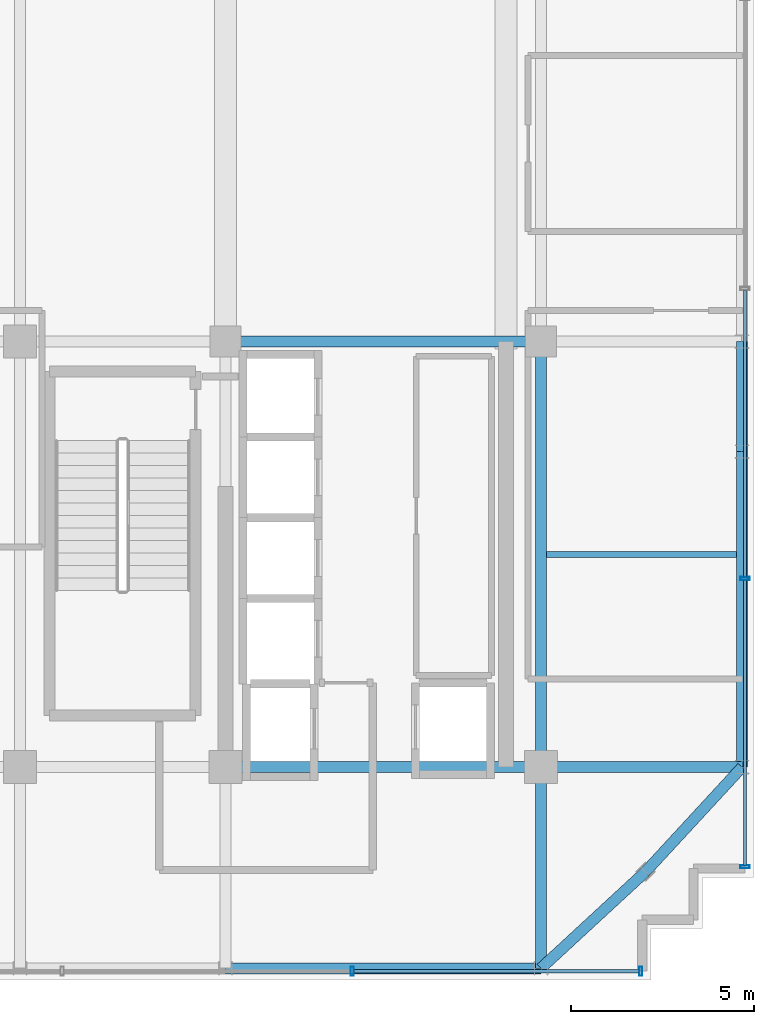
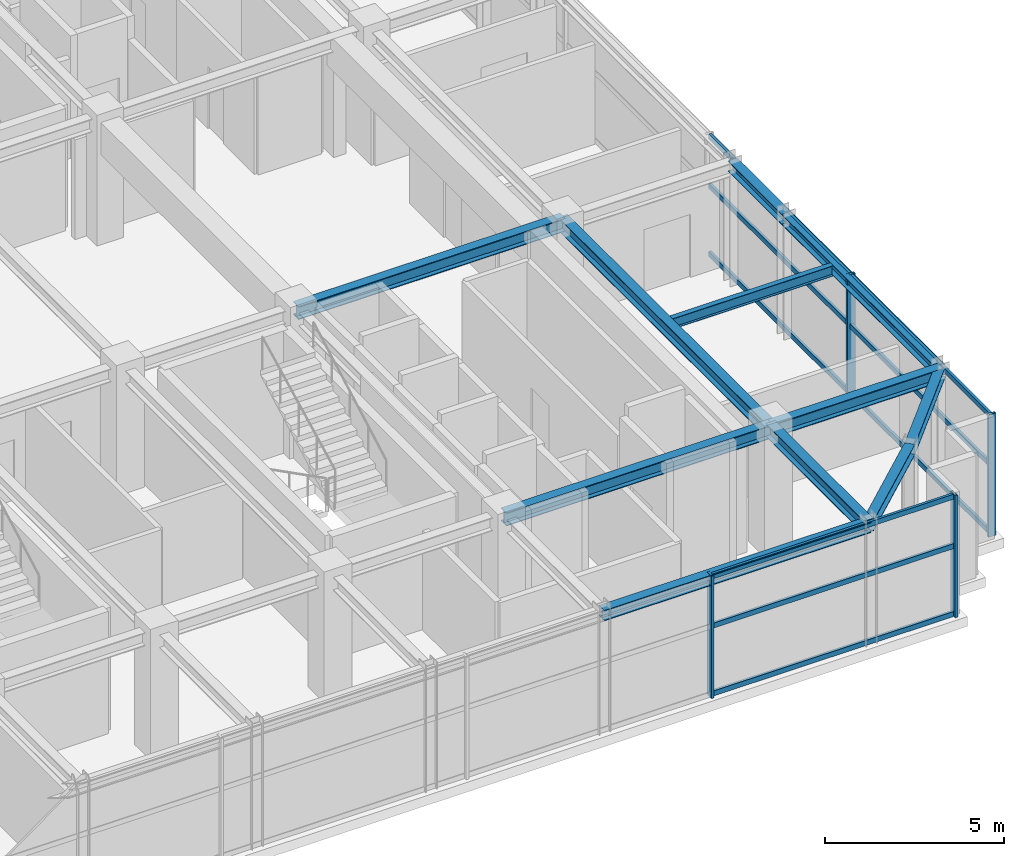
# One storey, part 10 of 20: 13 members, 11 beams, 2 elements without a shape of their own.
"""IFC4 building model written with IfcOpenShell, lengths in metres."""

import ifcopenshell
import ifcopenshell.guid

model = None  # the IFC model being written
_history = None  # IfcOwnerHistory: only IFC2X3 demands one
_inside = {}  # id of a spatial element -> (the spatial element, [elements in it])
_under = {}  # id of a project, library or spatial element -> (it, [spatial elements below it])
_declared = {}  # id of a project -> (the project, [libraries it declares])
_typed = {}  # id of a type object -> (the type object, [elements of that type])
_made_of = {}  # id of a material, layer set ... -> (it, [elements and type objects made of it])


def new_model(schema):
    """Start an empty IFC model of exactly this schema.

    Asked for "IFC4X3", IfcOpenShell would pick the latest addendum, in which some entities
    have other attributes; the version numbers below select the first issue.
    IFC2X3 requires an IfcOwnerHistory on every rooted entity: one is made here for all.
    """
    global model, _history
    if schema == "IFC4X3":
        model = ifcopenshell.file(schema_version=(4, 3, 0, 0))
    else:
        model = ifcopenshell.file(schema=schema)
    _inside.clear()
    _under.clear()
    _declared.clear()
    _typed.clear()
    _made_of.clear()
    _history = None
    if model.schema == "IFC2X3":
        org = make("IfcOrganization", Name="unknown")
        user = make(
            "IfcPersonAndOrganization",
            ThePerson=make("IfcPerson", FamilyName="unknown"),
            TheOrganization=org,
        )
        app = make(
            "IfcApplication",
            ApplicationDeveloper=org,
            Version="unknown",
            ApplicationFullName="unknown",
            ApplicationIdentifier="unknown",
        )
        _history = make(
            "IfcOwnerHistory",
            OwningUser=user,
            OwningApplication=app,
            ChangeAction="ADDED",
            CreationDate=0,
        )
    return model


def make(cls, **values):
    """One entity of the class cls with the attributes given. An attribute that is None is left unset."""
    return model.create_entity(
        cls, **{name: value for name, value in values.items() if value is not None}
    )


def rooted(cls, **values):
    """An entity with a GlobalId (a new one), such as an element, a storey or a relation."""
    return make(cls, GlobalId=ifcopenshell.guid.new(), OwnerHistory=_history, **values)


def si_unit(unit_type, name, prefix=None):
    """IfcSIUnit, for example si_unit("LENGTHUNIT", "METRE", prefix="MILLI")."""
    return make("IfcSIUnit", UnitType=unit_type, Prefix=prefix, Name=name)


def assignment(units):
    """IfcUnitAssignment: the units of a project."""
    return None if units is None else make("IfcUnitAssignment", Units=units)


def point(xyz):
    """IfcCartesianPoint."""
    return None if xyz is None else make("IfcCartesianPoint", Coordinates=xyz)


def direction(xyz):
    """IfcDirection."""
    return None if xyz is None else make("IfcDirection", DirectionRatios=xyz)


def frame(location, z_axis=None, x_axis=None):
    """IfcAxis2Placement3D, a coordinate frame: its origin and axes. An axis left out is left unset."""
    return make(
        "IfcAxis2Placement3D",
        Location=point(location),
        Axis=direction(z_axis),
        RefDirection=direction(x_axis),
    )


def frame_2d(location, x_axis=None):
    """IfcAxis2Placement2D, a coordinate frame in the plane: its origin and x axis."""
    return make(
        "IfcAxis2Placement2D", Location=point(location), RefDirection=direction(x_axis)
    )


def origin():
    """The frame at (0, 0, 0) with its axes left unset."""
    return frame((0.0, 0.0, 0.0))


def origin_2d():
    """The frame at (0, 0) in the plane with its x axis left unset."""
    return frame_2d((0.0, 0.0))


def place(relative_to, where):
    """IfcLocalPlacement: puts the frame where relative to a parent placement (None: the world)."""
    return make(
        "IfcLocalPlacement", PlacementRelTo=relative_to, RelativePlacement=where
    )


def context(
    kind, dimensions, precision=None, world=None, true_north=None, identifier=None
):
    """IfcGeometricRepresentationContext, for example the 3D "Model" context."""
    return make(
        "IfcGeometricRepresentationContext",
        ContextIdentifier=identifier,
        ContextType=kind,
        CoordinateSpaceDimension=dimensions,
        Precision=precision,
        WorldCoordinateSystem=world,
        TrueNorth=true_north,
    )


def subcontext(parent, identifier, kind, view, scale=None):
    """IfcGeometricRepresentationSubContext, for example "Body" below "Model"."""
    return make(
        "IfcGeometricRepresentationSubContext",
        ContextIdentifier=identifier,
        ContextType=kind,
        ParentContext=parent,
        TargetScale=scale,
        TargetView=view,
    )


def project(units=None, contexts=None):
    """IfcProject with its units and contexts."""
    return rooted(
        "IfcProject",
        Name="project",
        RepresentationContexts=contexts,
        UnitsInContext=assignment(units),
    )


def spatial(cls, under=None, at=None, **own):
    """A site, building, storey or space (cls), placed at a placement, below another one or the project."""
    s = rooted(cls, ObjectPlacement=at, **own)
    if under is not None:
        _under.setdefault(under.id(), (under, []))[1].append(s)
    return s


def profile(cls, at=None, kind="AREA", **sizes):
    """A parametric profile (cls). Its sizes go by their IFC names, for example OverallWidth=200.0."""
    return make(cls, ProfileType=kind, Position=at, **sizes)


def hollow_rectangle(**sizes):
    """IfcRectangleHollowProfileDef."""
    return profile("IfcRectangleHollowProfileDef", **sizes)


def i_section(**sizes):
    """IfcIShapeProfileDef."""
    return profile("IfcIShapeProfileDef", **sizes)


def extrude(swept, where, along, depth):
    """IfcExtrudedAreaSolid: the profile swept, set in the frame where, extruded along a direction by depth."""
    return make(
        "IfcExtrudedAreaSolid",
        SweptArea=swept,
        Position=where,
        ExtrudedDirection=direction(along),
        Depth=depth,
    )


def shape(context_of_items, identifier, shape_type, items):
    """IfcShapeRepresentation: the items that make up one representation, for example the "Body"."""
    return make(
        "IfcShapeRepresentation",
        ContextOfItems=context_of_items,
        RepresentationIdentifier=identifier,
        RepresentationType=shape_type,
        Items=items,
    )


def source(mapping_origin, context_of_items, identifier, shape_type, items):
    """IfcRepresentationMap: a shape defined once, which mapped items show again and again."""
    return make(
        "IfcRepresentationMap",
        MappingOrigin=mapping_origin,
        MappedRepresentation=shape(context_of_items, identifier, shape_type, items),
    )


def transform(
    local_origin,
    x_axis=None,
    y_axis=None,
    z_axis=None,
    scale=None,
    scale2=None,
    scale3=None,
    uniform=True,
):
    """IfcCartesianTransformationOperator3D, or its non-uniform kind. x_axis, y_axis, z_axis: its Axis1, 2, 3."""
    if uniform:
        return make(
            "IfcCartesianTransformationOperator3D",
            Axis1=direction(x_axis),
            Axis2=direction(y_axis),
            LocalOrigin=point(local_origin),
            Scale=scale,
            Axis3=direction(z_axis),
        )
    return make(
        "IfcCartesianTransformationOperator3DnonUniform",
        Axis1=direction(x_axis),
        Axis2=direction(y_axis),
        LocalOrigin=point(local_origin),
        Scale=scale,
        Axis3=direction(z_axis),
        Scale2=scale2,
        Scale3=scale3,
    )


def mapped(mapping_source, mapping_target):
    """IfcMappedItem: shows the shape of a source again, moved by a transform."""
    return make(
        "IfcMappedItem", MappingSource=mapping_source, MappingTarget=mapping_target
    )


def material(Name=None, Category=None):
    """IfcMaterial."""
    return make("IfcMaterial", Name=Name, Category=Category)


def material_profile(
    of_material, cross_section, Name=None, Category=None, Priority=None
):
    """IfcMaterialProfile: a cross section and its material."""
    return make(
        "IfcMaterialProfile",
        Name=Name,
        Material=of_material,
        Profile=cross_section,
        Priority=Priority,
        Category=Category,
    )


def profile_set(profiles, Name=None, composite=None):
    """IfcMaterialProfileSet."""
    return make(
        "IfcMaterialProfileSet",
        Name=Name,
        MaterialProfiles=profiles,
        CompositeProfile=composite,
    )


def made_of(thing, what):
    """Note that an element or type object is made of a material, layer set ...; save() writes the relation."""
    if what is not None:
        _made_of.setdefault(what.id(), (what, []))[1].append(thing)
    return thing


def type_object(cls, material=None, **own):
    """A type object (cls), such as IfcWallType, which elements share."""
    return made_of(rooted(cls, **own), material)


def element(
    cls,
    number,
    at=None,
    inside=None,
    cuts=None,
    type_object=None,
    material=None,
    context=None,
    identifier="Body",
    shape_type=None,
    held_by="IfcProductDefinitionShape",
    body=None,
    shapes=None,
    **own,
):
    """One element of the class cls, such as IfcWall. Its Tag is "e" and its number.

    at: its placement. inside: the storey or other place that contains it. cuts: it is an
    opening in that element (IfcRelVoidsElement). A single representation is given by context,
    identifier, shape_type and body (its items); several are given by shapes. held_by: the class
    of the entity that holds the representations. save() writes the other relations.
    """
    e = rooted(cls, Tag="e%d" % number, ObjectPlacement=at, **own)
    if body is not None:
        shapes = [shape(context, identifier, shape_type, body)]
    if shapes is not None:
        e.Representation = make(held_by, Representations=shapes)
    if inside is not None:
        _inside.setdefault(inside.id(), (inside, []))[1].append(e)
    if cuts is not None:
        rooted(
            "IfcRelVoidsElement", RelatingBuildingElement=cuts, RelatedOpeningElement=e
        )
    if type_object is not None:
        _typed.setdefault(type_object.id(), (type_object, []))[1].append(e)
    return made_of(e, material)


def aggregate(whole, parts):
    """IfcRelAggregates: a whole, such as a stair, and the parts it consists of."""
    return rooted("IfcRelAggregates", RelatingObject=whole, RelatedObjects=parts)


def save(model, path):
    """Write the relations noted so far, then the file.

    IfcRelAggregates (storeys below a building ...), IfcRelContainedInSpatialStructure (elements
    in a storey), IfcRelDefinesByType, IfcRelAssociatesMaterial and IfcRelDeclares: one each for
    every whole, place, type object, material and project.
    """
    for whole, parts in _under.values():
        aggregate(whole, parts)
    for where, things in _inside.values():
        rooted(
            "IfcRelContainedInSpatialStructure",
            RelatedElements=things,
            RelatingStructure=where,
        )
    for kind, things in _typed.values():
        rooted("IfcRelDefinesByType", RelatedObjects=things, RelatingType=kind)
    for what, things in _made_of.values():
        rooted("IfcRelAssociatesMaterial", RelatedObjects=things, RelatingMaterial=what)
    for by, libraries in _declared.values():
        rooted("IfcRelDeclares", RelatingContext=by, RelatedDefinitions=libraries)
    model.write(path)


model = new_model("IFC4")

# Units and contexts
model_context = context("Model", 3, precision=1e-05, world=origin(), true_north=direction((0.0, 1.0)))
body_context = subcontext(model_context, "Body", "Model", "MODEL_VIEW")
ifc_project = project(units=[si_unit("LENGTHUNIT", "METRE"), si_unit("AREAUNIT", "SQUARE_METRE"), si_unit("VOLUMEUNIT", "CUBIC_METRE"), si_unit("PLANEANGLEUNIT", "RADIAN"), si_unit("MASSUNIT", "GRAM", prefix="KILO")], contexts=[model_context])

# Site, building, storey
site_placement = place(None, origin())
site = spatial("IfcSite", under=ifc_project, at=site_placement, CompositionType="ELEMENT")
building_placement = place(site_placement, origin())
building = spatial("IfcBuilding", under=site, at=building_placement, Name="Nahalor Promenade Grand Hotel", CompositionType="ELEMENT")
storey_placement = place(building_placement, frame((0.0, 0.0, 347.550048828125)))
storey = spatial("IfcBuildingStorey", under=building, at=storey_placement, Name="L89", CompositionType="ELEMENT", Elevation=347.550048828125)

# Beams
ifc_material_1 = material(Name="Steel S355JR", Category="steel")
ifc_material_profile_1 = material_profile(ifc_material_1, i_section(OverallWidth=0.3, OverallDepth=0.45, WebThickness=0.014, FlangeThickness=0.026, at=origin_2d()), Name="HEB 450")
ifc_profile_set_1 = profile_set([ifc_material_profile_1], Name="Steel S355JR")
beam_type_1 = type_object("IfcBeamType", Name="Beam-Girder-HEB450", PredefinedType="BEAM", material=ifc_profile_set_1)
shared_shape_1 = source(origin(), body_context, "Body", "SweptSolid", [
    extrude(i_section(OverallWidth=0.3, OverallDepth=0.45, WebThickness=0.014, FlangeThickness=0.026, at=origin_2d()), origin(), (0.0, 0.0, 1.0), 8.60009765625),
])
for number, where, z_axis, x_axis, name in (
    (1, (8.39990234375, -17.0, 3.945068359375), (1.0, 0.0, 0.0), (0.0, 1.0, 0.0), "BM-L89-GX-0-5"),
    (2, (8.39990234375, -5.39990234375, 3.945068359375), (1.0, 0.0, 0.0), (0.0, 1.0, 0.0), "BM-L89-GX-1-5"),
):
    element("IfcBeam", number, at=place(storey_placement, frame(where, z_axis=z_axis, x_axis=x_axis)), inside=storey, type_object=beam_type_1, Name=name, PredefinedType="BEAM", context=body_context, shape_type="MappedRepresentation", body=[
        mapped(shared_shape_1, transform((0.0, 0.0, 0.0), scale=1.0)),
    ])
shared_shape_2 = source(origin(), body_context, "Body", "SweptSolid", [
    extrude(i_section(OverallWidth=0.3, OverallDepth=0.45, WebThickness=0.014, FlangeThickness=0.026, at=origin_2d()), origin(), (0.0, 0.0, 1.0), 11.60009765625),
])
beam_1_placement = place(storey_placement, frame((17.0, -17.0, 3.945068359375), z_axis=(0.0, 1.0, 0.0), x_axis=(-1.0, 0.0, 0.0)))
element("IfcBeam", 3, at=beam_1_placement, inside=storey, type_object=beam_type_1, Name="BM-L89-GY-5-1", PredefinedType="BEAM", context=body_context, shape_type="MappedRepresentation", body=[
    mapped(shared_shape_2, transform((0.0, 0.0, 0.0), scale=1.0)),
])
shared_shape_3 = source(origin(), body_context, "Body", "SweptSolid", [
    extrude(i_section(OverallWidth=0.3, OverallDepth=0.45, WebThickness=0.014, FlangeThickness=0.026, at=origin_2d()), origin(), (0.0, 0.0, 1.0), 5.47998046875),
])
for number, where, z_axis, x_axis, name in (
    (4, (17.0, -17.0, 3.945068359375), (1.0, 0.0, 0.0), (0.0, 1.0, 0.0), "BM-L89-GX-0-6"),
    (5, (17.0, -22.47998046875, 3.945068359375), (0.0, 1.0, 0.0), (-1.0, 0.0, 0.0), "BM-L89-GY-5-0"),
):
    element("IfcBeam", number, at=place(storey_placement, frame(where, z_axis=z_axis, x_axis=x_axis)), inside=storey, type_object=beam_type_1, Name=name, PredefinedType="BEAM", context=body_context, shape_type="MappedRepresentation", body=[
        mapped(shared_shape_3, transform((0.0, 0.0, 0.0), scale=1.0)),
    ])
ifc_material_profile_2 = material_profile(ifc_material_1, i_section(OverallWidth=0.3, OverallDepth=0.36, WebThickness=0.0125, FlangeThickness=0.0225, at=origin_2d()), Name="HEB 360")
ifc_profile_set_2 = profile_set([ifc_material_profile_2], Name="Steel S355JR")
beam_type_2 = type_object("IfcBeamType", Name="Beam-Spandrel-HEB360", PredefinedType="SPANDREL", material=ifc_profile_set_2)
shared_shape_4 = source(origin(), body_context, "Body", "SweptSolid", [
    extrude(i_section(OverallWidth=0.3, OverallDepth=0.36, WebThickness=0.0125, FlangeThickness=0.0225, at=origin_2d()), origin(), (0.0, 0.0, 1.0), 8.60009765625),
])
for number, where, z_axis, x_axis, name in (
    (6, (8.39990234375, -22.47998046875, 3.989990234375), (1.0, 0.0, 0.0), (0.0, 1.0, 0.0), "BM-L89-SP-S-4"),
    (7, (22.47998046875, -17.0, 3.989990234375), (0.0, 1.0, 0.0), (-1.0, 0.0, 0.0), "BM-L89-SP-E-0"),
):
    element("IfcBeam", number, at=place(storey_placement, frame(where, z_axis=z_axis, x_axis=x_axis)), inside=storey, type_object=beam_type_2, Name=name, PredefinedType="SPANDREL", context=body_context, shape_type="MappedRepresentation", body=[
        mapped(shared_shape_4, transform((0.0, 0.0, 0.0), scale=1.0)),
    ])
shared_shape_5 = source(origin(), body_context, "Body", "SweptSolid", [
    extrude(i_section(OverallWidth=0.3, OverallDepth=0.36, WebThickness=0.0125, FlangeThickness=0.0225, at=origin_2d()), origin(), (0.0, 0.0, 1.0), 3.0),
])
beam_2_placement = place(storey_placement, frame((22.47998046875, -8.39990234375, 3.989990234375), z_axis=(0.0, 1.0, 0.0), x_axis=(-1.0, 0.0, 0.0)))
element("IfcBeam", 8, at=beam_2_placement, inside=storey, type_object=beam_type_2, Name="BM-L89-SP-E-1", PredefinedType="SPANDREL", context=body_context, shape_type="MappedRepresentation", body=[
    mapped(shared_shape_5, transform((0.0, 0.0, 0.0), scale=1.0)),
])
shared_shape_6 = source(origin(), body_context, "Body", "SweptSolid", [
    extrude(i_section(OverallWidth=0.3, OverallDepth=0.36, WebThickness=0.0125, FlangeThickness=0.0225, at=origin_2d()), origin(), (0.0, 0.0, 1.0), 3.878173828125),
])
for number, where, z_axis, x_axis, name in (
    (9, (17.0, -22.47998046875, 3.989990234375), (0.73492893846, 0.678144125843, 0.0), (-0.678144125843, 0.73492893846, 0.0), "BM-L89-SPC-SE-1"),
    (10, (19.85009765625, -19.85009765625, 3.989990234375), (0.678144125843, 0.73492893846, 0.0), (-0.73492893846, 0.678144125843, 0.0), "BM-L89-SPC-SE-2"),
):
    element("IfcBeam", number, at=place(storey_placement, frame(where, z_axis=z_axis, x_axis=x_axis)), inside=storey, type_object=beam_type_2, Name=name, PredefinedType="SPANDREL", context=body_context, shape_type="MappedRepresentation", body=[
        mapped(shared_shape_6, transform((0.0, 0.0, 0.0), scale=1.0)),
    ])
ifc_material_profile_3 = material_profile(ifc_material_1, i_section(OverallWidth=0.17, OverallDepth=0.36, WebThickness=0.008, FlangeThickness=0.0127, at=origin_2d()), Name="IPE 360")
ifc_profile_set_3 = profile_set([ifc_material_profile_3], Name="Steel S355JR")
beam_type_3 = type_object("IfcBeamType", Name="Beam-Joist-IPE360", PredefinedType="JOIST", material=ifc_profile_set_3)
shared_shape_7 = source(origin(), body_context, "Body", "SweptSolid", [
    extrude(i_section(OverallWidth=0.17, OverallDepth=0.36, WebThickness=0.008, FlangeThickness=0.0127, at=origin_2d()), origin(), (0.0, 0.0, 1.0), 5.18017578125),
])
beam_3_placement = place(storey_placement, frame((17.14990234375, -11.199951171875, 3.989990234375), z_axis=(1.0, 0.0, 0.0), x_axis=(0.0, 1.0, 0.0)))
element("IfcBeam", 11, at=beam_3_placement, inside=storey, type_object=beam_type_3, Name="BM-L89-JSE-0-2", PredefinedType="JOIST", context=body_context, shape_type="MappedRepresentation", body=[
    mapped(shared_shape_7, transform((0.0, 0.0, 0.0), scale=1.0)),
])

# Curtain wall, members
ifc_material_2 = material(Name="Anodised Bronze Aluminium EN AW-6063 T6", Category="aluminium")
curtain_wall_type = type_object("IfcCurtainWallType", Name="CW5 Sky-Lobby & Observation Panoramic Curtain Wall", PredefinedType="USERDEFINED", material=ifc_material_2)
curtain_wall_1_placement = place(storey_placement, origin())
curtain_wall_1 = element("IfcCurtainWall", 12, at=curtain_wall_1_placement, inside=storey, type_object=curtain_wall_type, Name="L89 Curtain Wall CW-L89-S-1", ObjectType="UNITISED_CURTAIN_WALL", PredefinedType="USERDEFINED")
ifc_material_profile_4 = material_profile(ifc_material_2, hollow_rectangle(XDim=0.085, YDim=0.25, WallThickness=0.006, at=origin_2d()), Name="CWM 85x250x6")
ifc_profile_set_4 = profile_set([ifc_material_profile_4], Name="Anodised Bronze Aluminium EN AW-6063 T6")
member_type_1 = type_object("IfcMemberType", Name="CWM5 Panoramic Deep Mullion 85x250", PredefinedType="MULLION", material=ifc_profile_set_4)
shared_shape_8 = source(origin(), body_context, "Body", "SweptSolid", [
    extrude(hollow_rectangle(XDim=0.085, YDim=0.25, WallThickness=0.006, at=origin_2d()), origin(), (0.0, 0.0, 1.0), 4.169921875),
])
member_1_placement = place(storey_placement, frame((11.85595703125, -22.56005859375, 0.0), z_axis=(0.0, 0.0, 1.0), x_axis=(1.0, 0.0, 0.0)))
member_1 = element("IfcMember", 13, at=member_1_placement, type_object=member_type_1, Name="CW-L89-S-1 Mullion 4", PredefinedType="MULLION", context=body_context, shape_type="MappedRepresentation", body=[
    mapped(shared_shape_8, transform((0.0, 0.0, 0.0), scale=1.0)),
])
member_2_placement = place(storey_placement, frame((19.717529296875, -22.56005859375, 0.0), z_axis=(0.0, 0.0, 1.0), x_axis=(1.0, 0.0, 0.0)))
member_2 = element("IfcMember", 14, at=member_2_placement, type_object=member_type_1, Name="CW-L89-S-1 Mullion 5", PredefinedType="MULLION", context=body_context, shape_type="MappedRepresentation", body=[
    mapped(shared_shape_8, transform((0.0, 0.0, 0.0), scale=1.0)),
])

curtain_wall_2_placement = place(storey_placement, origin())
curtain_wall_2 = element("IfcCurtainWall", 15, at=curtain_wall_2_placement, inside=storey, type_object=curtain_wall_type, Name="L89 Curtain Wall CW-L89-E-1", ObjectType="UNITISED_CURTAIN_WALL", PredefinedType="USERDEFINED")
member_3_placement = place(storey_placement, frame((22.56005859375, -19.717529296875, 0.0), z_axis=(0.0, 0.0, 1.0), x_axis=(0.0, 1.0, 0.0)))
member_3 = element("IfcMember", 16, at=member_3_placement, type_object=member_type_1, Name="CW-L89-E-1 Mullion 0", PredefinedType="MULLION", context=body_context, shape_type="MappedRepresentation", body=[
    mapped(shared_shape_8, transform((0.0, 0.0, 0.0), scale=1.0)),
])
member_4_placement = place(storey_placement, frame((22.56005859375, -11.85595703125, 0.0), z_axis=(0.0, 0.0, 1.0), x_axis=(0.0, 1.0, 0.0)))
member_4 = element("IfcMember", 17, at=member_4_placement, type_object=member_type_1, Name="CW-L89-E-1 Mullion 1", PredefinedType="MULLION", context=body_context, shape_type="MappedRepresentation", body=[
    mapped(shared_shape_8, transform((0.0, 0.0, 0.0), scale=1.0)),
])

# Member
ifc_material_profile_5 = material_profile(ifc_material_2, hollow_rectangle(XDim=0.085, YDim=0.17, WallThickness=0.005, at=origin_2d()), Name="CWT 85x170x5")
ifc_profile_set_5 = profile_set([ifc_material_profile_5], Name="Anodised Bronze Aluminium EN AW-6063 T6")
member_type_2 = type_object("IfcMemberType", Name="CWT5 Panoramic Transom 85x170", PredefinedType="USERDEFINED", material=ifc_profile_set_5)
shared_shape_9 = source(origin(), body_context, "Body", "SweptSolid", [
    extrude(hollow_rectangle(XDim=0.085, YDim=0.17, WallThickness=0.005, at=origin_2d()), origin(), (0.0, 0.0, 1.0), 7.776611328125),
])
member_5_placement = place(storey_placement, frame((11.8984375, -22.56005859375, 0.0849609375), z_axis=(1.0, 0.0, 0.0), x_axis=(0.0, 1.0, 0.0)))
member_5 = element("IfcMember", 18, at=member_5_placement, type_object=member_type_2, Name="CW-L89-S-1 Transom 4-0", ObjectType="TRANSOM", PredefinedType="USERDEFINED", context=body_context, shape_type="MappedRepresentation", body=[
    mapped(shared_shape_9, transform((0.0, 0.0, 0.0), scale=1.0)),
])

member_6_placement = place(storey_placement, frame((11.8984375, -22.56005859375, 2.39990234375), z_axis=(1.0, 0.0, 0.0), x_axis=(0.0, 1.0, 0.0)))
member_6 = element("IfcMember", 19, at=member_6_placement, type_object=member_type_2, Name="CW-L89-S-1 Transom 4-1", ObjectType="TRANSOM", PredefinedType="USERDEFINED", context=body_context, shape_type="MappedRepresentation", body=[
    mapped(shared_shape_9, transform((0.0, 0.0, 0.0), scale=1.0)),
])

member_7_placement = place(storey_placement, frame((11.8984375, -22.56005859375, 4.0849609375), z_axis=(1.0, 0.0, 0.0), x_axis=(0.0, 1.0, 0.0)))
member_7 = element("IfcMember", 20, at=member_7_placement, type_object=member_type_2, Name="CW-L89-S-1 Transom 4-2", ObjectType="TRANSOM", PredefinedType="USERDEFINED", context=body_context, shape_type="MappedRepresentation", body=[
    mapped(shared_shape_9, transform((0.0, 0.0, 0.0), scale=1.0)),
])

aggregate(curtain_wall_1, [member_1, member_2, member_5, member_6, member_7])

member_8_placement = place(storey_placement, frame((22.56005859375, -19.675048828125, 0.0849609375), z_axis=(0.0, 1.0, 0.0), x_axis=(-1.0, 0.0, 0.0)))
member_8 = element("IfcMember", 21, at=member_8_placement, type_object=member_type_2, Name="CW-L89-E-1 Transom 0-0", ObjectType="TRANSOM", PredefinedType="USERDEFINED", context=body_context, shape_type="MappedRepresentation", body=[
    mapped(shared_shape_9, transform((0.0, 0.0, 0.0), scale=1.0)),
])

member_9_placement = place(storey_placement, frame((22.56005859375, -19.675048828125, 2.39990234375), z_axis=(0.0, 1.0, 0.0), x_axis=(-1.0, 0.0, 0.0)))
member_9 = element("IfcMember", 22, at=member_9_placement, type_object=member_type_2, Name="CW-L89-E-1 Transom 0-1", ObjectType="TRANSOM", PredefinedType="USERDEFINED", context=body_context, shape_type="MappedRepresentation", body=[
    mapped(shared_shape_9, transform((0.0, 0.0, 0.0), scale=1.0)),
])

member_10_placement = place(storey_placement, frame((22.56005859375, -19.675048828125, 4.0849609375), z_axis=(0.0, 1.0, 0.0), x_axis=(-1.0, 0.0, 0.0)))
member_10 = element("IfcMember", 23, at=member_10_placement, type_object=member_type_2, Name="CW-L89-E-1 Transom 0-2", ObjectType="TRANSOM", PredefinedType="USERDEFINED", context=body_context, shape_type="MappedRepresentation", body=[
    mapped(shared_shape_9, transform((0.0, 0.0, 0.0), scale=1.0)),
])

shared_shape_10 = source(origin(), body_context, "Body", "SweptSolid", [
    extrude(hollow_rectangle(XDim=0.085, YDim=0.17, WallThickness=0.005, at=origin_2d()), origin(), (0.0, 0.0, 1.0), 7.819091796875),
])
member_11_placement = place(storey_placement, frame((22.56005859375, -11.8134765625, 0.0849609375), z_axis=(0.0, 1.0, 0.0), x_axis=(-1.0, 0.0, 0.0)))
member_11 = element("IfcMember", 24, at=member_11_placement, type_object=member_type_2, Name="CW-L89-E-1 Transom 1-0", ObjectType="TRANSOM", PredefinedType="USERDEFINED", context=body_context, shape_type="MappedRepresentation", body=[
    mapped(shared_shape_10, transform((0.0, 0.0, 0.0), scale=1.0)),
])

member_12_placement = place(storey_placement, frame((22.56005859375, -11.8134765625, 2.39990234375), z_axis=(0.0, 1.0, 0.0), x_axis=(-1.0, 0.0, 0.0)))
member_12 = element("IfcMember", 25, at=member_12_placement, type_object=member_type_2, Name="CW-L89-E-1 Transom 1-1", ObjectType="TRANSOM", PredefinedType="USERDEFINED", context=body_context, shape_type="MappedRepresentation", body=[
    mapped(shared_shape_10, transform((0.0, 0.0, 0.0), scale=1.0)),
])

member_13_placement = place(storey_placement, frame((22.56005859375, -11.8134765625, 4.0849609375), z_axis=(0.0, 1.0, 0.0), x_axis=(-1.0, 0.0, 0.0)))
member_13 = element("IfcMember", 26, at=member_13_placement, type_object=member_type_2, Name="CW-L89-E-1 Transom 1-2", ObjectType="TRANSOM", PredefinedType="USERDEFINED", context=body_context, shape_type="MappedRepresentation", body=[
    mapped(shared_shape_10, transform((0.0, 0.0, 0.0), scale=1.0)),
])

aggregate(curtain_wall_2, [member_3, member_4, member_8, member_9, member_10, member_11, member_12, member_13])

save(model, "model.ifc")
